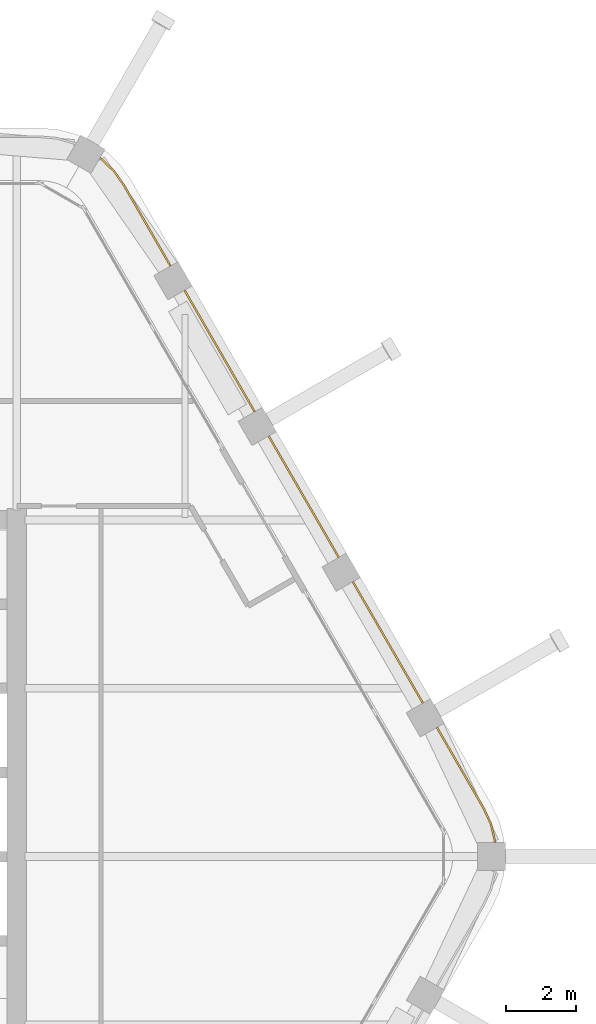
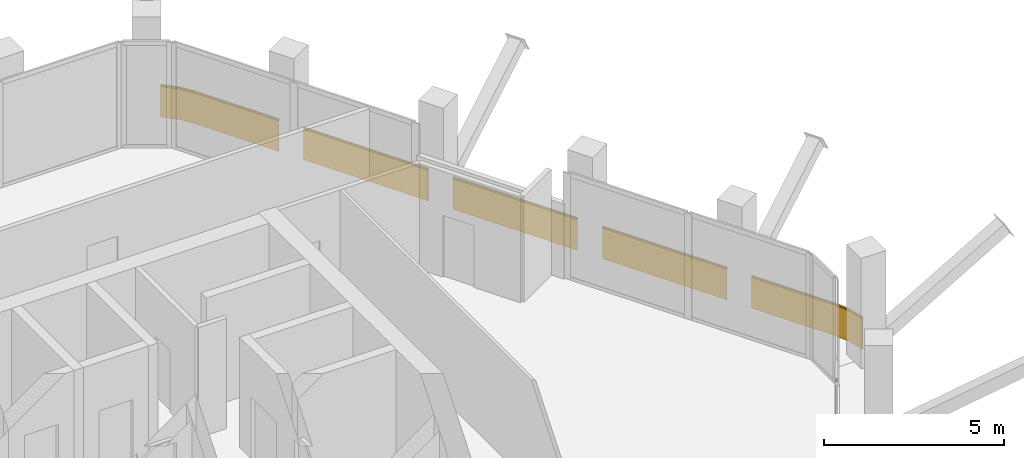
# One storey, part 14 of 14: 1 railing.
"""IFC4 building model written with IfcOpenShell, lengths in metres."""

from ifc_helpers import new_model, si_unit, direction, frame, frame_2d, origin, origin_2d, place, context, subcontext, project, spatial, rectangle, extrude, material, type_object, element, save


model = new_model("IFC4")

# Units and contexts
model_context = context("Model", 3, precision=1e-05, world=origin(), true_north=direction((0.0, 1.0)))
body_context = subcontext(model_context, "Body", "Model", "MODEL_VIEW")
ifc_project = project(units=[si_unit("LENGTHUNIT", "METRE"), si_unit("AREAUNIT", "SQUARE_METRE"), si_unit("VOLUMEUNIT", "CUBIC_METRE"), si_unit("PLANEANGLEUNIT", "RADIAN"), si_unit("MASSUNIT", "GRAM", prefix="KILO")], contexts=[model_context])

# Site, building, storey
site_placement = place(None, origin())
site = spatial("IfcSite", under=ifc_project, at=site_placement, CompositionType="ELEMENT")
building_placement = place(site_placement, origin())
building = spatial("IfcBuilding", under=site, at=building_placement, Name="Kolab Exchange Tower", CompositionType="ELEMENT")
storey_placement = place(building_placement, frame((0.0, 0.0, 281.300048828125)))
storey = spatial("IfcBuildingStorey", under=building, at=storey_placement, Name="L63", CompositionType="ELEMENT", Elevation=281.300048828125)

# Railing
ifc_material = material(Name="Steel S235", Category="steel")
railing_type = type_object("IfcRailingType", Name="GUARD 1100 GLASS BALUSTRADE AND STEEL TOP RAIL", PredefinedType="GUARDRAIL", material=ifc_material)
railing_placement = place(storey_placement, frame((23.2509765625, 0.3984375, 0.0)))
element("IfcRailing", 1, at=railing_placement, inside=storey, type_object=railing_type, Name="Guard", PredefinedType="GUARDRAIL", context=body_context, shape_type="SweptSolid", body=[
    extrude(rectangle(XDim=0.05, YDim=0.05, at=origin_2d()), frame((0.0, 0.0, 1.0751953125), z_axis=(-0.234597748196, 0.972092534968, 0.0), x_axis=(-0.972092534968, -0.234597748196, 0.0)), (0.0, 0.0, 1.0), 0.557861328125),
    extrude(rectangle(XDim=0.012, YDim=1.05009765625, at=frame_2d((0.0, 0.525146484375))), frame((0.0, 0.0, 0.0), z_axis=(-0.234597748196, 0.972092534968, 0.0), x_axis=(-0.972092534968, -0.234597748196, 0.0)), (0.0, 0.0, 1.0), 0.557861328125),
    extrude(rectangle(XDim=0.05, YDim=0.05, at=origin_2d()), frame((-0.130859375, 0.542236328125, 1.0751953125), z_axis=(-0.422801802984, 0.906222177721, 0.0), x_axis=(-0.906222177721, -0.422801802984, 0.0)), (0.0, 0.0, 1.0), 0.479248046875),
    extrude(rectangle(XDim=0.012, YDim=1.05009765625, at=frame_2d((0.0, 0.525146484375))), frame((-0.130859375, 0.542236328125, 0.0), z_axis=(-0.422801802984, 0.906222177721, 0.0), x_axis=(-0.906222177721, -0.422801802984, 0.0)), (0.0, 0.0, 1.0), 0.479248046875),
    extrude(rectangle(XDim=0.05, YDim=0.05, at=origin_2d()), frame((-0.33349609375, 0.9765625, 1.0751953125), z_axis=(-0.499997052475, 0.866027105532, 0.0), x_axis=(-0.866027105532, -0.499997052475, 0.0)), (0.0, 0.0, 1.0), 2.66796875),
    extrude(rectangle(XDim=0.012, YDim=1.05009765625, at=frame_2d((0.0, 0.525146484375))), frame((-0.33349609375, 0.9765625, 0.0), z_axis=(-0.499997052475, 0.866027105532, 0.0), x_axis=(-0.866027105532, -0.499997052475, 0.0)), (0.0, 0.0, 1.0), 2.66796875),
    extrude(rectangle(XDim=0.05, YDim=0.05, at=origin_2d()), frame((-2.0673828125, 3.97998046875, 1.0751953125), z_axis=(-0.49999894854, 0.866026010844, 0.0), x_axis=(-0.866026010844, -0.49999894854, 0.0)), (0.0, 0.0, 1.0), 4.0),
    extrude(rectangle(XDim=0.012, YDim=1.05009765625, at=frame_2d((0.0, 0.525146484375))), frame((-2.0673828125, 3.97998046875, 0.0), z_axis=(-0.49999894854, 0.866026010844, 0.0), x_axis=(-0.866026010844, -0.49999894854, 0.0)), (0.0, 0.0, 1.0), 4.0),
    extrude(rectangle(XDim=0.05, YDim=0.05, at=origin_2d()), frame((-4.467529296875, 8.13671875, 1.0751953125), z_axis=(-0.49999894854, 0.866026010844, 0.0), x_axis=(-0.866026010844, -0.49999894854, 0.0)), (0.0, 0.0, 1.0), 4.0),
    extrude(rectangle(XDim=0.012, YDim=1.05009765625, at=frame_2d((0.0, 0.525146484375))), frame((-4.467529296875, 8.13671875, 0.0), z_axis=(-0.49999894854, 0.866026010844, 0.0), x_axis=(-0.866026010844, -0.49999894854, 0.0)), (0.0, 0.0, 1.0), 4.0),
    extrude(rectangle(XDim=0.05, YDim=0.05, at=origin_2d()), frame((-6.867431640625, 12.293701171875, 1.0751953125), z_axis=(-0.49999894854, 0.866026010844, 0.0), x_axis=(-0.866026010844, -0.49999894854, 0.0)), (0.0, 0.0, 1.0), 4.0),
    extrude(rectangle(XDim=0.012, YDim=1.05009765625, at=frame_2d((0.0, 0.525146484375))), frame((-6.867431640625, 12.293701171875, 0.0), z_axis=(-0.49999894854, 0.866026010844, 0.0), x_axis=(-0.866026010844, -0.49999894854, 0.0)), (0.0, 0.0, 1.0), 4.0),
    extrude(rectangle(XDim=0.05, YDim=0.05, at=origin_2d()), frame((-9.267578125, 16.45068359375, 1.0751953125), z_axis=(-0.499997052475, 0.866027105532, 0.0), x_axis=(-0.866027105532, -0.499997052475, 0.0)), (0.0, 0.0, 1.0), 2.66796875),
    extrude(rectangle(XDim=0.012, YDim=1.05009765625, at=frame_2d((0.0, 0.525146484375))), frame((-9.267578125, 16.45068359375, 0.0), z_axis=(-0.499997052475, 0.866027105532, 0.0), x_axis=(-0.866027105532, -0.499997052475, 0.0)), (0.0, 0.0, 1.0), 2.66796875),
    extrude(rectangle(XDim=0.05, YDim=0.05, at=origin_2d()), frame((-10.6015625, 18.76123046875, 1.0751953125), z_axis=(-0.573599091554, 0.819136180478, 0.0), x_axis=(-0.819136180478, -0.573599091554, 0.0)), (0.0, 0.0, 1.0), 0.479248046875),
    extrude(rectangle(XDim=0.012, YDim=1.05009765625, at=frame_2d((0.0, 0.525146484375))), frame((-10.6015625, 18.76123046875, 0.0), z_axis=(-0.573599091554, 0.819136180478, 0.0), x_axis=(-0.819136180478, -0.573599091554, 0.0)), (0.0, 0.0, 1.0), 0.479248046875),
    extrude(rectangle(XDim=0.05, YDim=0.05, at=origin_2d()), frame((-10.87646484375, 19.15380859375, 1.0751953125), z_axis=(-0.724189990991, 0.689600505327, 0.0), x_axis=(-0.689600505327, -0.724189990991, 0.0)), (0.0, 0.0, 1.0), 0.5576171875),
    extrude(rectangle(XDim=0.012, YDim=1.05009765625, at=frame_2d((0.0, 0.525146484375))), frame((-10.87646484375, 19.15380859375, 0.0), z_axis=(-0.724189990991, 0.689600505327, 0.0), x_axis=(-0.689600505327, -0.724189990991, 0.0)), (0.0, 0.0, 1.0), 0.5576171875),
])

save(model, "model.ifc")
